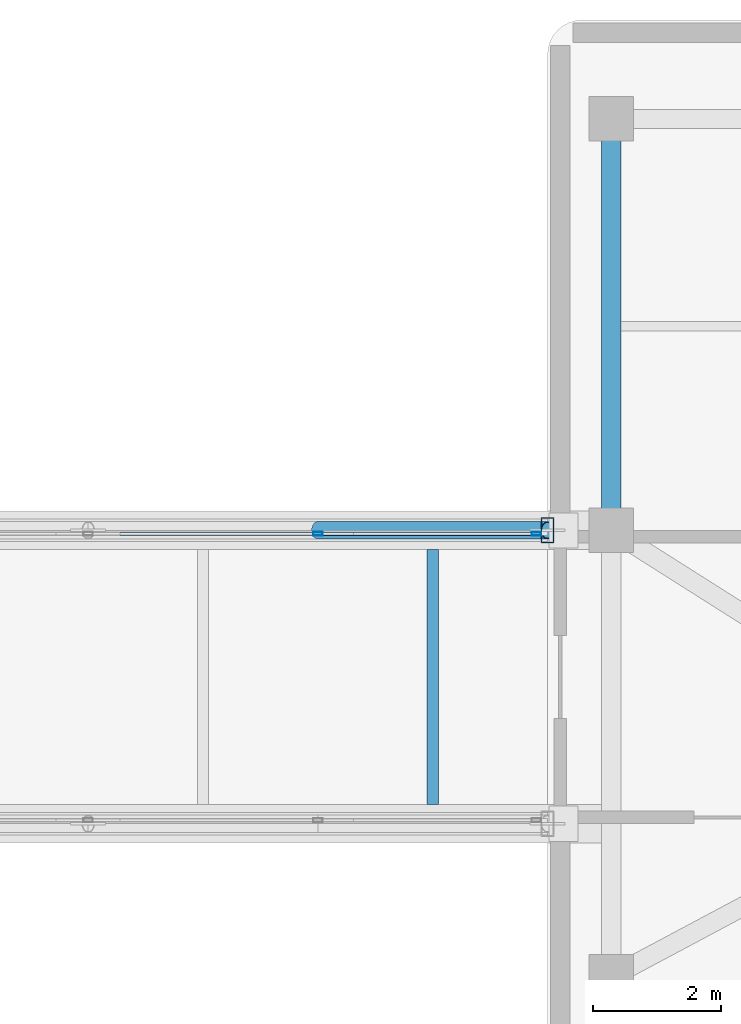
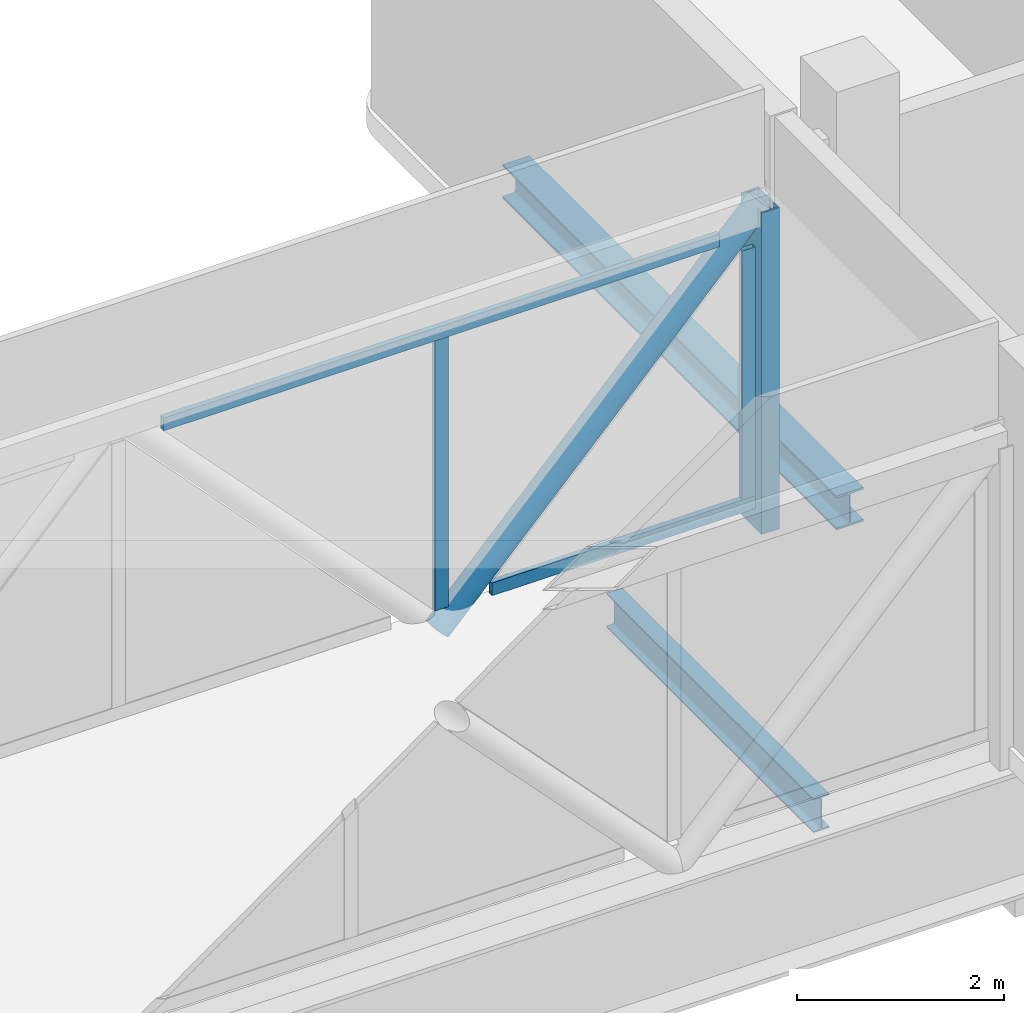
# One storey, part 8 of 17: 6 members, 2 beams, 2 elements without a shape of their own.
"""IFC4 building model written with IfcOpenShell, lengths in metres."""

from ifc_helpers import new_model, si_unit, direction, frame, origin, origin_2d, place, context, subcontext, project, spatial, hollow_rectangle, hollow_circle, i_section, extrude, material, material_profile, profile_set, type_object, element, aggregate, save


model = new_model("IFC4")

# Units and contexts
model_context = context("Model", 3, precision=1e-05, world=origin(), true_north=direction((0.0, 1.0)))
body_context = subcontext(model_context, "Body", "Model", "MODEL_VIEW")
ifc_project = project(units=[si_unit("LENGTHUNIT", "METRE"), si_unit("AREAUNIT", "SQUARE_METRE"), si_unit("VOLUMEUNIT", "CUBIC_METRE"), si_unit("PLANEANGLEUNIT", "RADIAN"), si_unit("MASSUNIT", "GRAM", prefix="KILO")], contexts=[model_context])

# Site, building, storey
site_placement = place(None, origin())
site = spatial("IfcSite", under=ifc_project, at=site_placement, CompositionType="ELEMENT")
building_placement = place(site_placement, origin())
building = spatial("IfcBuilding", under=site, at=building_placement, Name="Kuzgunbayir Cultural Tower", CompositionType="ELEMENT")
storey_placement = place(building_placement, frame((0.0, 0.0, 102.60009765625)))
storey = spatial("IfcBuildingStorey", under=building, at=storey_placement, Name="L29", CompositionType="ELEMENT", Elevation=102.60009765625)

# Beams
ifc_material_1 = material(Name="Steel S355J2", Category="steel")
ifc_material_profile_1 = material_profile(ifc_material_1, i_section(OverallWidth=0.300048828125, OverallDepth=0.39990234375, WebThickness=0.013427734375, FlangeThickness=0.02392578125, FilletRadius=0.027099609375, at=origin_2d()), Name="HEB 400")
ifc_profile_set_1 = profile_set([ifc_material_profile_1], Name="Steel S355J2")
beam_type_1 = type_object("IfcBeamType", Name="BM-EXT-HEB400", PredefinedType="BEAM", material=ifc_profile_set_1)
beam_1_placement = place(storey_placement, frame((58.60009765625, 35.800048828125, -0.440185546875), z_axis=(0.0, 1.0, 0.0), x_axis=(-1.0, 0.0, 0.0)))
element("IfcBeam", 1, at=beam_1_placement, inside=storey, type_object=beam_type_1, Name="L29 Companion West Girder", PredefinedType="BEAM", context=body_context, shape_type="SweptSolid", body=[
    extrude(i_section(OverallWidth=0.300048828125, OverallDepth=0.39990234375, WebThickness=0.013427734375, FlangeThickness=0.02392578125, FilletRadius=0.027099609375, at=origin_2d()), origin(), (0.0, 0.0, 1.0), 6.449951171875),
])
ifc_material_profile_2 = material_profile(ifc_material_1, i_section(OverallWidth=0.179931640625, OverallDepth=0.39990234375, WebThickness=0.008544921875, FlangeThickness=0.013427734375, FilletRadius=0.02099609375, at=origin_2d()), Name="IPE 400")
ifc_profile_set_2 = profile_set([ifc_material_profile_2], Name="Steel S355J2")
beam_type_2 = type_object("IfcBeamType", Name="BM-EXT-IPE400", PredefinedType="JOIST", material=ifc_profile_set_2)
beam_2_placement = place(storey_placement, frame((55.800048828125, 31.5, -0.440185546875), z_axis=(0.0, 1.0, 0.0), x_axis=(-1.0, 0.0, 0.0)))
element("IfcBeam", 2, at=beam_2_placement, inside=storey, type_object=beam_type_2, Name="L29 Skybridge Deck Cross Beam 3", PredefinedType="JOIST", context=body_context, shape_type="SweptSolid", body=[
    extrude(i_section(OverallWidth=0.179931640625, OverallDepth=0.39990234375, WebThickness=0.008544921875, FlangeThickness=0.013427734375, FilletRadius=0.02099609375, at=origin_2d()), origin(), (0.0, 0.0, 1.0), 4.0),
])

# Curtain wall, member
ifc_material_2 = material(Name="Anodised Aluminium Framing", Category="aluminium")
curtain_wall_type = type_object("IfcCurtainWallType", Name="CW05-SKYBRIDGE", PredefinedType="NOTDEFINED", material=ifc_material_2)
curtain_wall_1_placement = place(storey_placement, origin())
curtain_wall_1 = element("IfcCurtainWall", 3, at=curtain_wall_1_placement, inside=storey, type_object=curtain_wall_type, Name="L29 Skybridge North Curtain Wall Run 3 Fitted Between Truss Members", PredefinedType="NOTDEFINED")
ifc_material_profile_3 = material_profile(ifc_material_2, hollow_rectangle(XDim=0.06005859375, YDim=0.14990234375, WallThickness=0.00390625, at=origin_2d()), Name="RHS 150x60x4")
ifc_profile_set_3 = profile_set([ifc_material_profile_3], Name="Anodised Aluminium Framing")
member_type_1 = type_object("IfcMemberType", Name="MEM-CW-MULLION-150", PredefinedType="MULLION", material=ifc_profile_set_3)
member_1_placement = place(storey_placement, frame((54.0, 35.7451171875, 0.0419921875), z_axis=(0.0, 0.0, 1.0), x_axis=(0.0, 1.0, 0.0)))
member_1 = element("IfcMember", 4, at=member_1_placement, type_object=member_type_1, Name="CW05 mullion 3.1", PredefinedType="MULLION", context=body_context, shape_type="SweptSolid", body=[
    extrude(hollow_rectangle(XDim=0.06005859375, YDim=0.14990234375, WallThickness=0.00390625, at=origin_2d()), origin(), (0.0, 0.0, 1.0), 3.182861328125),
])

curtain_wall_2_placement = place(storey_placement, origin())
curtain_wall_2 = element("IfcCurtainWall", 5, at=curtain_wall_2_placement, inside=storey, type_object=curtain_wall_type, Name="L29 Skybridge North Curtain Wall Run 4 Fitted Between Truss Members", PredefinedType="NOTDEFINED")
member_2_placement = place(storey_placement, frame((57.425048828125, 35.7451171875, 0.14990234375), z_axis=(0.0, 0.0, 1.0), x_axis=(0.0, 1.0, 0.0)))
member_2 = element("IfcMember", 6, at=member_2_placement, type_object=member_type_1, Name="CW05 mullion 4.1", PredefinedType="MULLION", context=body_context, shape_type="SweptSolid", body=[
    extrude(hollow_rectangle(XDim=0.06005859375, YDim=0.14990234375, WallThickness=0.00390625, at=origin_2d()), origin(), (0.0, 0.0, 1.0), 2.93408203125),
])

# Member
ifc_material_profile_4 = material_profile(ifc_material_2, hollow_rectangle(XDim=0.06005859375, YDim=0.14990234375, WallThickness=0.00390625, at=origin_2d()), Name="RHS 150x60x4")
ifc_profile_set_4 = profile_set([ifc_material_profile_4], Name="Anodised Aluminium Framing")
member_type_2 = type_object("IfcMemberType", Name="MEM-CW-TRANSOM-150", PredefinedType="USERDEFINED", material=ifc_profile_set_4)
member_3_placement = place(storey_placement, frame((50.90087890625, 35.7451171875, 3.2998046875), z_axis=(1.0, 0.0, 0.0), x_axis=(0.0, 1.0, 0.0)))
member_3 = element("IfcMember", 7, at=member_3_placement, type_object=member_type_2, Name="CW05 transom 3.1", ObjectType="TRANSOM", PredefinedType="USERDEFINED", context=body_context, shape_type="SweptSolid", body=[
    extrude(hollow_rectangle(XDim=0.06005859375, YDim=0.14990234375, WallThickness=0.00390625, at=origin_2d()), origin(), (0.0, 0.0, 1.0), 6.1982421875),
])

aggregate(curtain_wall_1, [member_1, member_3])

member_4_placement = place(storey_placement, frame((54.56298828125, 35.7451171875, 0.074951171875), z_axis=(1.0, 0.0, 0.0), x_axis=(0.0, 1.0, 0.0)))
member_4 = element("IfcMember", 8, at=member_4_placement, type_object=member_type_2, Name="CW05 transom 4.1", ObjectType="TRANSOM", PredefinedType="USERDEFINED", context=body_context, shape_type="SweptSolid", body=[
    extrude(hollow_rectangle(XDim=0.06005859375, YDim=0.14990234375, WallThickness=0.00390625, at=origin_2d()), origin(), (0.0, 0.0, 1.0), 2.93701171875),
])

aggregate(curtain_wall_2, [member_2, member_4])

# Members
ifc_material_3 = material(Name="Steel S460M", Category="steel")
ifc_material_profile_5 = material_profile(ifc_material_3, hollow_circle(Radius=0.136474609375, WallThickness=0.012451171875, at=origin_2d()), Name="CHS 273x12.5")
ifc_profile_set_5 = profile_set([ifc_material_profile_5], Name="Steel S460M")
member_type_3 = type_object("IfcMemberType", Name="MEM-SBG-CHS273", PredefinedType="BRACE", material=ifc_profile_set_5)
member_5_placement = place(storey_placement, frame((54.0, 35.800048828125, -0.239990234375), z_axis=(0.688728594239, 0.0, 0.725019257315), x_axis=(0.0, 1.0, 0.0)))
element("IfcMember", 9, at=member_5_placement, inside=storey, type_object=member_type_3, Name="L29 Skybridge Truss Diagonal N3", PredefinedType="BRACE", context=body_context, shape_type="SweptSolid", body=[
    extrude(hollow_circle(Radius=0.136474609375, WallThickness=0.012451171875, at=origin_2d()), origin(), (0.0, 0.0, 1.0), 5.22705078125),
])
ifc_material_profile_6 = material_profile(ifc_material_3, hollow_rectangle(XDim=0.199951171875, YDim=0.39990234375, WallThickness=0.01611328125, at=origin_2d()), Name="RHS 400x200x16")
ifc_profile_set_6 = profile_set([ifc_material_profile_6], Name="Steel S460M")
member_type_4 = type_object("IfcMemberType", Name="MEM-STR-RHS400", PredefinedType="STRUT", material=ifc_profile_set_6)
member_6_placement = place(storey_placement, frame((57.60009765625, 35.800048828125, -0.239990234375), z_axis=(0.0, 0.0, 1.0), x_axis=(1.0, 0.0, 0.0)))
element("IfcMember", 10, at=member_6_placement, inside=storey, type_object=member_type_4, Name="L29 Skybridge Truss End Post NE", PredefinedType="STRUT", context=body_context, shape_type="SweptSolid", body=[
    extrude(hollow_rectangle(XDim=0.199951171875, YDim=0.39990234375, WallThickness=0.01611328125, at=origin_2d()), origin(), (0.0, 0.0, 1.0), 3.789794921875),
])

save(model, "model.ifc")
